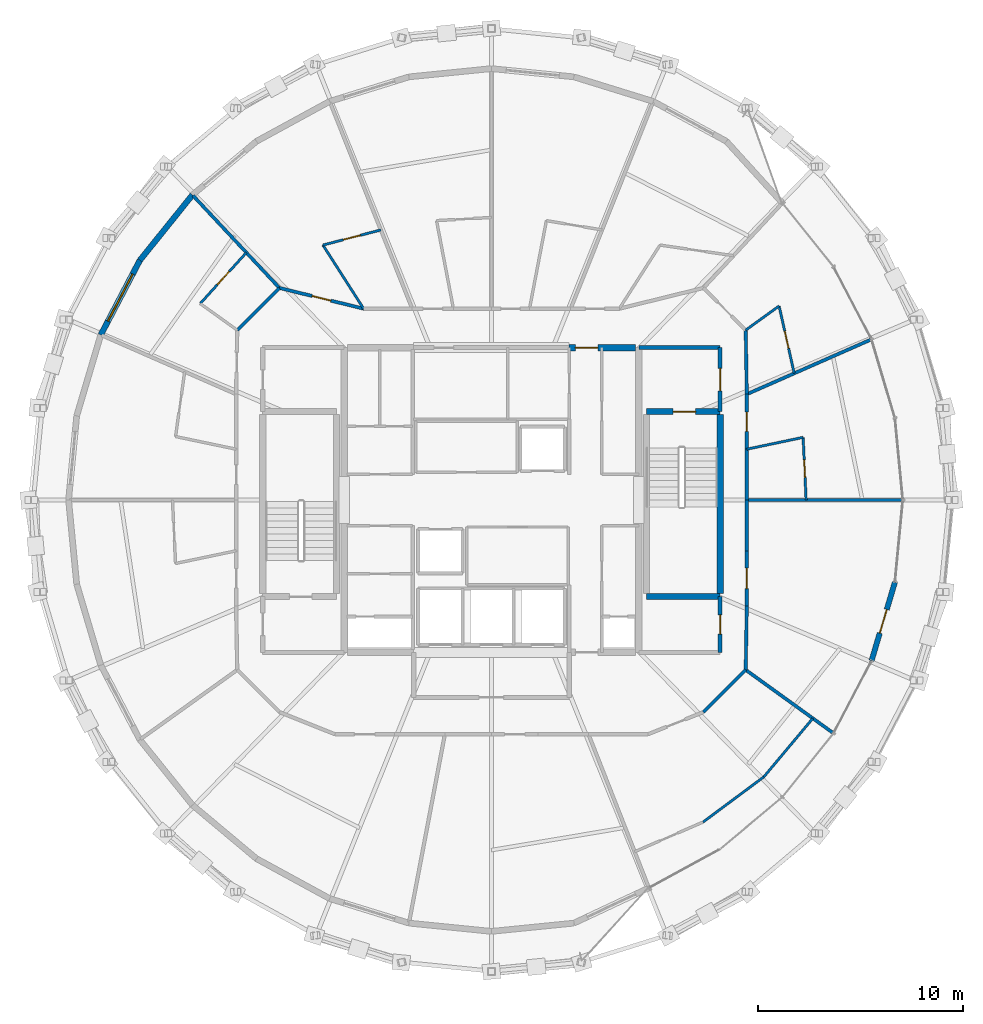
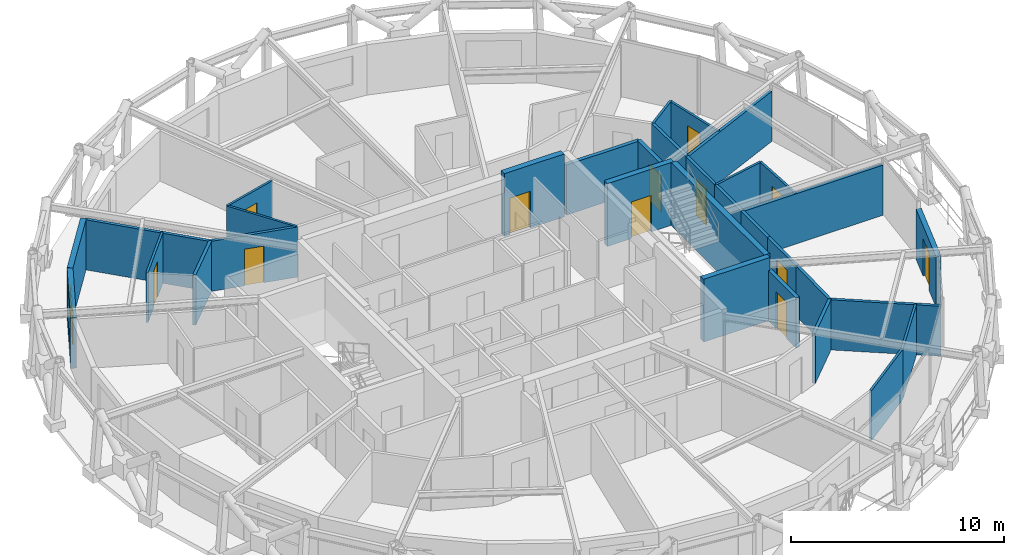
# One storey, part 13 of 15: 32 walls, 12 doors, 1 window, 13 openings.
"""IFC4 building model written with IfcOpenShell, lengths in metres."""

from ifc_helpers import new_model, si_unit, direction, frame, frame_2d, origin, place, context, subcontext, project, spatial, rectangle, extrude, material, layer, layer_set, type_object, element, fill, save


model = new_model("IFC4")

# Units and contexts
model_context = context("Model", 3, precision=1e-05, world=origin(), true_north=direction((0.0, 1.0)))
body_context = subcontext(model_context, "Body", "Model", "MODEL_VIEW")
ifc_project = project(units=[si_unit("LENGTHUNIT", "METRE"), si_unit("AREAUNIT", "SQUARE_METRE"), si_unit("VOLUMEUNIT", "CUBIC_METRE"), si_unit("PLANEANGLEUNIT", "RADIAN"), si_unit("MASSUNIT", "GRAM", prefix="KILO")], contexts=[model_context])

# Site, building, storey
site_placement = place(None, origin())
site = spatial("IfcSite", under=ifc_project, at=site_placement, CompositionType="ELEMENT")
building_placement = place(site_placement, origin())
building = spatial("IfcBuilding", under=site, at=building_placement, Name="Veldorina Hangang Commons", CompositionType="ELEMENT")
storey_placement = place(building_placement, frame((0.0, 0.0, 254.39990234375)))
storey = spatial("IfcBuildingStorey", under=building, at=storey_placement, Name="L66", CompositionType="ELEMENT", Elevation=254.39990234375)

# Wall, opening, door
ifc_material_1 = material(Name="Concrete C50/60", Category="concrete")
ifc_layer_1 = layer(ifc_material_1, 0.320068359375)
ifc_layer_set_1 = layer_set([ifc_layer_1], Name="Concrete C50/60")
wall_type_1 = type_object("IfcWallType", Name="CW-RC320-C50", PredefinedType="SHEAR", material=ifc_layer_set_1)
wall_1_placement = place(storey_placement, frame((35.800048828125, 31.449951171875, 0.0), z_axis=(0.0, 0.0, 1.0), x_axis=(1.0, 0.0, 0.0)))
wall_1 = element("IfcWall", 1, at=wall_1_placement, inside=storey, type_object=wall_type_1, Name="L66 north-east core shear wall", PredefinedType="SHEAR", context=body_context, shape_type="SweptSolid", body=[
    extrude(rectangle(XDim=3.239990234375, YDim=0.320068359375, at=frame_2d((1.6201171875, 0.0))), origin(), (0.0, 0.0, 1.0), 3.60009765625),
])
opening_1_placement = place(wall_1_placement, frame((0.300048828125, 0.0, 0.0)))
opening_1 = element("IfcOpeningElement", 2, at=opening_1_placement, cuts=wall_1, Name="Opening D-08", PredefinedType="OPENING", context=body_context, shape_type="SweptSolid", body=[
    extrude(rectangle(XDim=1.10009765625, YDim=2.10009765625, at=frame_2d((0.550048828125, 1.050048828125))), frame((0.0, 0.169921875, 0.0), z_axis=(0.0, -1.0, 0.0), x_axis=(1.0, 0.0, 0.0)), (0.0, 0.0, 1.0), 0.340087890625),
])
ifc_material_2 = material(Name="Steel Fire-Rated Smoke Seal", Category="steel")
door_type_1 = type_object("IfcDoorType", Name="DR-FIRE-1100", OperationType="SINGLE_SWING_RIGHT", PredefinedType="DOOR", material=ifc_material_2)
door_1_placement = place(opening_1_placement, origin())
door_1 = element("IfcDoor", 3, at=door_1_placement, inside=storey, type_object=door_type_1, Name="L66 central lift lobby north corridor door", OperationType="SINGLE_SWING_LEFT", OverallHeight=2.10009765625, OverallWidth=1.10009765625, PredefinedType="DOOR", context=body_context, shape_type="SweptSolid", body=[
    extrude(rectangle(XDim=1.10009765625, YDim=2.10009765625, at=frame_2d((0.550048828125, 1.050048828125))), frame((0.0, 0.02490234375, 0.0), z_axis=(0.0, -1.0, 0.0), x_axis=(1.0, 0.0, 0.0)), (0.0, 0.0, 1.0), 0.050048828125),
])
fill(opening_1, door_1)

ifc_material_3 = material(Name="Stone Roman Travertine", Category="masonry")
ifc_layer_2 = layer(ifc_material_3, 0.260009765625)
ifc_layer_set_2 = layer_set([ifc_layer_2], Name="Stone Roman Travertine")
wall_type_2 = type_object("IfcWallType", Name="EW-LOGGIA-260", PredefinedType="STANDARD", material=ifc_layer_set_2)
wall_2_placement = place(storey_placement, frame((50.578857421875, 16.145263671875, 0.0), z_axis=(0.0, 0.0, 1.0), x_axis=(0.284876689728, 0.9585641719, 0.0)))
wall_2 = element("IfcWall", 4, at=wall_2_placement, inside=storey, type_object=wall_type_2, Name="L66 sky-garden loggia portal wall 30", PredefinedType="STANDARD", context=body_context, shape_type="SweptSolid", body=[
    extrude(rectangle(XDim=4.016845703125, YDim=0.260009765625, at=frame_2d((2.00830078125, 0.0))), origin(), (0.0, 0.0, 1.0), 2.880126953125),
])
opening_2_placement = place(wall_2_placement, frame((1.408447265625, 0.0, 0.0)))
opening_2 = element("IfcOpeningElement", 5, at=opening_2_placement, cuts=wall_2, Name="Opening BD-1200", PredefinedType="OPENING", context=body_context, shape_type="SweptSolid", body=[
    extrude(rectangle(XDim=1.199951171875, YDim=2.14990234375, at=frame_2d((0.60009765625, 1.074951171875))), frame((0.0, 0.14013671875, 0.0), z_axis=(0.0, -1.0, 0.0), x_axis=(1.0, 0.0, 0.0)), (0.0, 0.0, 1.0), 0.280029296875),
])
ifc_material_4 = material(Name="Glass Thermal Aluminium Frame", Category="aluminium")
door_type_2 = type_object("IfcDoorType", Name="DR-EXT-LOG1200", OperationType="SINGLE_SWING_LEFT", PredefinedType="DOOR", material=ifc_material_4)
door_2_placement = place(opening_2_placement, origin())
door_2 = element("IfcDoor", 6, at=door_2_placement, inside=storey, type_object=door_type_2, Name="L66 loggia glazed exterior door 30", OperationType="SINGLE_SWING_LEFT", OverallHeight=2.14990234375, OverallWidth=1.199951171875, PredefinedType="DOOR", context=body_context, shape_type="SweptSolid", body=[
    extrude(rectangle(XDim=1.199951171875, YDim=2.14990234375, at=frame_2d((0.60009765625, 1.074951171875))), frame((0.0, 0.02490234375, 0.0), z_axis=(0.0, -1.0, 0.0), x_axis=(1.0, 0.0, 0.0)), (0.0, 0.0, 1.0), 0.050048828125),
])
fill(opening_2, door_2)

# Wall
ifc_layer_3 = layer(ifc_material_3, 0.280029296875)
ifc_layer_set_3 = layer_set([ifc_layer_3], Name="Stone Roman Travertine")
wall_type_3 = type_object("IfcWallType", Name="EW-TRAV-280", PredefinedType="STANDARD", material=ifc_layer_set_3)
wall_3_placement = place(storey_placement, frame((17.384521484375, 38.90966796875, 0.0), z_axis=(0.0, 0.0, 1.0), x_axis=(-0.626849011523, -0.779140755418, 0.0)))
element("IfcWall", 7, at=wall_3_placement, inside=storey, type_object=wall_type_3, Name="L66 travertine facade wall 12", PredefinedType="STANDARD", context=body_context, shape_type="SweptSolid", body=[
    extrude(rectangle(XDim=4.100830078125, YDim=0.280029296875, at=frame_2d((2.05029296875, 0.0))), origin(), (0.0, 0.0, 1.0), 2.880126953125),
])

# Wall, opening, window
wall_4_placement = place(storey_placement, frame((14.81396484375, 35.714599609375, 0.0), z_axis=(0.0, 0.0, 1.0), x_axis=(-0.46412225373, -0.88577115193, 0.0)))
wall_4 = element("IfcWall", 8, at=wall_4_placement, inside=storey, type_object=wall_type_3, Name="L66 travertine facade wall 13", PredefinedType="STANDARD", context=body_context, shape_type="SweptSolid", body=[
    extrude(rectangle(XDim=4.11572265625, YDim=0.280029296875, at=frame_2d((2.057861328125, 0.0))), origin(), (0.0, 0.0, 1.0), 2.880126953125),
])
opening_3_placement = place(wall_4_placement, frame((0.7578125, 0.0, 0.800048828125)))
opening_3 = element("IfcOpeningElement", 9, at=opening_3_placement, cuts=wall_4, Name="Opening W-02", PredefinedType="OPENING", context=body_context, shape_type="SweptSolid", body=[
    extrude(rectangle(XDim=2.60009765625, YDim=1.64990234375, at=frame_2d((1.300048828125, 0.824951171875))), frame((0.0, 0.14990234375, 0.0), z_axis=(0.0, -1.0, 0.0), x_axis=(1.0, 0.0, 0.0)), (0.0, 0.0, 1.0), 0.300048828125),
])
ifc_material_5 = material(Name="Glass Low-E Triple IGU", Category="glass")
window_type = type_object("IfcWindowType", Name="WIN-TWR-2600", PartitioningType="SINGLE_PANEL", PredefinedType="WINDOW", material=ifc_material_5)
window_placement = place(opening_3_placement, origin())
window = element("IfcWindow", 10, at=window_placement, inside=storey, type_object=window_type, Name="L66 facade window 13", OverallHeight=1.64990234375, OverallWidth=2.60009765625, PartitioningType="SINGLE_PANEL", PredefinedType="WINDOW", context=body_context, shape_type="SweptSolid", body=[
    extrude(rectangle(XDim=2.60009765625, YDim=1.64990234375, at=frame_2d((1.300048828125, 0.824951171875))), frame((0.0, 0.030029296875, 0.0), z_axis=(0.0, -1.0, 0.0), x_axis=(1.0, 0.0, 0.0)), (0.0, 0.0, 1.0), 0.06005859375),
])
fill(opening_3, window)

# Walls
ifc_layer_4 = layer(ifc_material_1, 0.300048828125)
ifc_layer_set_4 = layer_set([ifc_layer_4], Name="Concrete C50/60")
wall_type_4 = type_object("IfcWallType", Name="SW-STAIR-300", PredefinedType="SHEAR", material=ifc_layer_set_4)
wall_5_placement = place(storey_placement, frame((43.179931640625, 19.429931640625, 0.0), z_axis=(0.0, 0.0, 1.0), x_axis=(0.0, 1.0, 0.0)))
element("IfcWall", 11, at=wall_5_placement, inside=storey, type_object=wall_type_4, Name="L66 ST2 outer stair shear wall", PredefinedType="SHEAR", context=body_context, shape_type="SweptSolid", body=[
    extrude(rectangle(XDim=8.739990234375, YDim=0.300048828125, at=frame_2d((4.3701171875, 0.0))), origin(), (0.0, 0.0, 1.0), 3.60009765625),
])
wall_6_placement = place(storey_placement, frame((39.580078125, 19.280029296875, 0.0), z_axis=(0.0, 0.0, 1.0), x_axis=(1.0, 0.0, 0.0)))
element("IfcWall", 12, at=wall_6_placement, inside=storey, type_object=wall_type_4, Name="L66 ST2 south stair shear wall", PredefinedType="SHEAR", context=body_context, shape_type="SweptSolid", body=[
    extrude(rectangle(XDim=3.599853515625, YDim=0.300048828125, at=frame_2d((1.7998046875, 0.0))), origin(), (0.0, 0.0, 1.0), 3.60009765625),
])

# Wall, opening, door
wall_7_placement = place(storey_placement, frame((39.580078125, 28.320068359375, 0.0), z_axis=(0.0, 0.0, 1.0), x_axis=(1.0, 0.0, 0.0)))
wall_7 = element("IfcWall", 13, at=wall_7_placement, inside=storey, type_object=wall_type_4, Name="L66 ST2 north stair shear wall", PredefinedType="SHEAR", context=body_context, shape_type="SweptSolid", body=[
    extrude(rectangle(XDim=3.599853515625, YDim=0.300048828125, at=frame_2d((1.7998046875, 0.0))), origin(), (0.0, 0.0, 1.0), 3.60009765625),
])
opening_4_placement = place(wall_7_placement, frame((1.300048828125, 0.0, 0.0)))
opening_4 = element("IfcOpeningElement", 14, at=opening_4_placement, cuts=wall_7, Name="Opening D-08", PredefinedType="OPENING", context=body_context, shape_type="SweptSolid", body=[
    extrude(rectangle(XDim=1.10009765625, YDim=2.10009765625, at=frame_2d((0.550048828125, 1.050048828125))), frame((0.0, 0.16015625, 0.0), z_axis=(0.0, -1.0, 0.0), x_axis=(1.0, 0.0, 0.0)), (0.0, 0.0, 1.0), 0.320068359375),
])
door_3_placement = place(opening_4_placement, origin())
door_3 = element("IfcDoor", 15, at=door_3_placement, inside=storey, type_object=door_type_1, Name="L66 Special Escape Stair ST-2 door", OperationType="SINGLE_SWING_RIGHT", OverallHeight=2.10009765625, OverallWidth=1.10009765625, PredefinedType="DOOR", context=body_context, shape_type="SweptSolid", body=[
    extrude(rectangle(XDim=1.10009765625, YDim=2.10009765625, at=frame_2d((0.550048828125, 1.050048828125))), frame((0.0, 0.02490234375, 0.0), z_axis=(0.0, -1.0, 0.0), x_axis=(1.0, 0.0, 0.0)), (0.0, 0.0, 1.0), 0.050048828125),
])
fill(opening_4, door_3)

# Wall
ifc_material_6 = material(Name="Gypsum Fire-Rated Twin Stud Wall", Category="gypsum")
ifc_layer_5 = layer(ifc_material_6, 0.159912109375)
ifc_layer_set_5 = layer_set([ifc_layer_5], Name="Gypsum Fire-Rated Twin Stud Wall")
wall_type_5 = type_object("IfcWallType", Name="WL-FIRE-160", PredefinedType="SOLIDWALL", material=ifc_layer_set_5)
wall_8_placement = place(storey_placement, frame((44.47998046875, 24.0, 0.0), z_axis=(0.0, 0.0, 1.0), x_axis=(0.0, 1.0, 0.0)))
element("IfcWall", 16, at=wall_8_placement, inside=storey, type_object=wall_type_5, Name="L66 Compact collar outer wall 00 054", PredefinedType="SOLIDWALL", context=body_context, shape_type="SweptSolid", body=[
    extrude(rectangle(XDim=2.482421875, YDim=0.159912109375, at=frame_2d((1.2412109375, 0.0))), origin(), (0.0, 0.0, 1.0), 2.8701171875),
])

# Wall, opening, door
wall_9_placement = place(storey_placement, frame((44.47998046875, 26.482421875, 0.0), z_axis=(0.0, 0.0, 1.0), x_axis=(0.0, 1.0, 0.0)))
wall_9 = element("IfcWall", 17, at=wall_9_placement, inside=storey, type_object=wall_type_5, Name="L66 Compact collar outer wall 01 055", PredefinedType="SOLIDWALL", context=body_context, shape_type="SweptSolid", body=[
    extrude(rectangle(XDim=2.68701171875, YDim=0.159912109375, at=frame_2d((1.343505859375, 0.0))), origin(), (0.0, 0.0, 1.0), 2.8701171875),
])
opening_5_placement = place(wall_9_placement, frame((0.868408203125, 0.0, 0.0)))
opening_5 = element("IfcOpeningElement", 18, at=opening_5_placement, cuts=wall_9, Name="Opening D-03", PredefinedType="OPENING", context=body_context, shape_type="SweptSolid", body=[
    extrude(rectangle(XDim=0.949951171875, YDim=2.10009765625, at=frame_2d((0.47509765625, 1.050048828125))), frame((0.0, 0.08984375, 0.0), z_axis=(0.0, -1.0, 0.0), x_axis=(1.0, 0.0, 0.0)), (0.0, 0.0, 1.0), 0.179931640625),
])
ifc_material_7 = material(Name="Timber Fire-Rated Entrance Core", Category="wood")
door_type_3 = type_object("IfcDoorType", Name="DR-UNIT-950", OperationType="SINGLE_SWING_RIGHT", PredefinedType="DOOR", material=ifc_material_7)
door_4_placement = place(opening_5_placement, origin())
door_4 = element("IfcDoor", 19, at=door_4_placement, inside=storey, type_object=door_type_3, Name="L66 Studio 2 entrance door 026", OperationType="SINGLE_SWING_RIGHT", OverallHeight=2.10009765625, OverallWidth=0.949951171875, PredefinedType="DOOR", context=body_context, shape_type="SweptSolid", body=[
    extrude(rectangle(XDim=0.949951171875, YDim=2.10009765625, at=frame_2d((0.47509765625, 1.050048828125))), frame((0.0, 0.02490234375, 0.0), z_axis=(0.0, -1.0, 0.0), x_axis=(1.0, 0.0, 0.0)), (0.0, 0.0, 1.0), 0.050048828125),
])
fill(opening_5, door_4)

# Wall
wall_10_placement = place(storey_placement, frame((44.47998046875, 29.16943359375, 0.0), z_axis=(0.0, 0.0, 1.0), x_axis=(-0.016981035134, 0.999855811828, 0.0)))
element("IfcWall", 20, at=wall_10_placement, inside=storey, type_object=wall_type_5, Name="L66 Compact collar outer wall 02 056", PredefinedType="SOLIDWALL", context=body_context, shape_type="SweptSolid", body=[
    extrude(rectangle(XDim=3.13427734375, YDim=0.159912109375, at=frame_2d((1.567138671875, 0.0))), origin(), (0.0, 0.0, 1.0), 2.8701171875),
])

# Wall, opening, door
wall_11_placement = place(storey_placement, frame((25.75244140625, 33.35009765625, 0.0), z_axis=(0.0, 0.0, 1.0), x_axis=(-0.970939799552, 0.239323850978, 0.0)))
wall_11 = element("IfcWall", 21, at=wall_11_placement, inside=storey, type_object=wall_type_5, Name="L66 Compact collar outer wall 11 065", PredefinedType="SOLIDWALL", context=body_context, shape_type="SweptSolid", body=[
    extrude(rectangle(XDim=4.24072265625, YDim=0.159912109375, at=frame_2d((2.120361328125, 0.0))), origin(), (0.0, 0.0, 1.0), 2.8701171875),
])
opening_6_placement = place(wall_11_placement, frame((1.6455078125, 0.0, 0.0)))
opening_6 = element("IfcOpeningElement", 22, at=opening_6_placement, cuts=wall_11, Name="Opening D-03", PredefinedType="OPENING", context=body_context, shape_type="SweptSolid", body=[
    extrude(rectangle(XDim=0.949951171875, YDim=2.10009765625, at=frame_2d((0.47509765625, 1.050048828125))), frame((0.0, 0.08984375, 0.0), z_axis=(0.0, -1.0, 0.0), x_axis=(1.0, 0.0, 0.0)), (0.0, 0.0, 1.0), 0.179931640625),
])
door_5_placement = place(opening_6_placement, origin())
door_5 = element("IfcDoor", 23, at=door_5_placement, inside=storey, type_object=door_type_3, Name="L66 Studio 7 entrance door 036", OperationType="SINGLE_SWING_RIGHT", OverallHeight=2.10009765625, OverallWidth=0.949951171875, PredefinedType="DOOR", context=body_context, shape_type="SweptSolid", body=[
    extrude(rectangle(XDim=0.949951171875, YDim=2.10009765625, at=frame_2d((0.47509765625, 1.050048828125))), frame((0.0, 0.02490234375, 0.0), z_axis=(0.0, -1.0, 0.0), x_axis=(1.0, 0.0, 0.0)), (0.0, 0.0, 1.0), 0.050048828125),
])
fill(opening_6, door_5)

# Walls
for number, where, z_axis, x_axis, name in (
    (24, (21.635009765625, 34.364990234375, 0.0), (0.0, 0.0, 1.0), (-0.707106781187, -0.707106781187, 0.0), "L66 Compact collar outer wall 12 066"),
    (25, (42.364990234375, 13.635009765625, 0.0), (0.0, 0.0, 1.0), (0.707106781187, 0.707106781187, 0.0), "L66 Compact collar outer wall 28 082"),
):
    element("IfcWall", number, at=place(storey_placement, frame(where, z_axis=z_axis, x_axis=x_axis)), inside=storey, type_object=wall_type_5, Name=name, PredefinedType="SOLIDWALL", context=body_context, shape_type="SweptSolid", body=[
        extrude(rectangle(XDim=2.915771484375, YDim=0.159912109375, at=frame_2d((1.4580078125, 0.0))), origin(), (0.0, 0.0, 1.0), 2.8701171875),
    ])
wall_12_placement = place(storey_placement, frame((44.4267578125, 15.69677734375, 0.0), z_axis=(0.0, 0.0, 1.0), x_axis=(0.016981035134, 0.999855811828, 0.0)))
element("IfcWall", 26, at=wall_12_placement, inside=storey, type_object=wall_type_5, Name="L66 Compact collar outer wall 29 083", PredefinedType="SOLIDWALL", context=body_context, shape_type="SweptSolid", body=[
    extrude(rectangle(XDim=3.13427734375, YDim=0.159912109375, at=frame_2d((1.567138671875, 0.0))), origin(), (0.0, 0.0, 1.0), 2.8701171875),
])

# Wall, opening, door
wall_13_placement = place(storey_placement, frame((44.47998046875, 18.83056640625, 0.0), z_axis=(0.0, 0.0, 1.0), x_axis=(0.0, 1.0, 0.0)))
wall_13 = element("IfcWall", 27, at=wall_13_placement, inside=storey, type_object=wall_type_5, Name="L66 Compact collar outer wall 30 084", PredefinedType="SOLIDWALL", context=body_context, shape_type="SweptSolid", body=[
    extrude(rectangle(XDim=2.68701171875, YDim=0.159912109375, at=frame_2d((1.343505859375, 0.0))), origin(), (0.0, 0.0, 1.0), 2.8701171875),
])
opening_7_placement = place(wall_13_placement, frame((0.843505859375, 0.0, 0.0)))
opening_7 = element("IfcOpeningElement", 28, at=opening_7_placement, cuts=wall_13, Name="Opening D-05", PredefinedType="OPENING", context=body_context, shape_type="SweptSolid", body=[
    extrude(rectangle(XDim=1.0, YDim=2.10009765625, at=frame_2d((0.5, 1.050048828125))), frame((0.0, 0.08984375, 0.0), z_axis=(0.0, -1.0, 0.0), x_axis=(1.0, 0.0, 0.0)), (0.0, 0.0, 1.0), 0.179931640625),
])
ifc_material_8 = material(Name="Timber Solid Core Acoustic", Category="wood")
door_type_4 = type_object("IfcDoorType", Name="DR-INT-1000", OperationType="SINGLE_SWING_RIGHT", PredefinedType="DOOR", material=ifc_material_8)
door_6_placement = place(opening_7_placement, origin())
door_6 = element("IfcDoor", 29, at=door_6_placement, inside=storey, type_object=door_type_4, Name="L66 Sky-Garden Commons Lounge door 024", OperationType="SINGLE_SWING_RIGHT", OverallHeight=2.10009765625, OverallWidth=1.0, PredefinedType="DOOR", context=body_context, shape_type="SweptSolid", body=[
    extrude(rectangle(XDim=1.0, YDim=2.10009765625, at=frame_2d((0.5, 1.050048828125))), frame((0.0, 0.02490234375, 0.0), z_axis=(0.0, -1.0, 0.0), x_axis=(1.0, 0.0, 0.0)), (0.0, 0.0, 1.0), 0.050048828125),
])
fill(opening_7, door_6)

# Walls
wall_14_placement = place(storey_placement, frame((44.47998046875, 21.517578125, 0.0), z_axis=(0.0, 0.0, 1.0), x_axis=(0.0, 1.0, 0.0)))
element("IfcWall", 30, at=wall_14_placement, inside=storey, type_object=wall_type_5, Name="L66 Compact collar outer wall 31 085", PredefinedType="SOLIDWALL", context=body_context, shape_type="SweptSolid", body=[
    extrude(rectangle(XDim=2.482421875, YDim=0.159912109375, at=frame_2d((1.2412109375, 0.0))), origin(), (0.0, 0.0, 1.0), 2.8701171875),
])
wall_15_placement = place(storey_placement, frame((44.4267578125, 15.69677734375, 0.0), z_axis=(0.0, 0.0, 1.0), x_axis=(0.810763897191, -0.585373302271, 0.0)))
element("IfcWall", 31, at=wall_15_placement, inside=storey, type_object=wall_type_5, Name="L66 Unit party wall 29 086", PredefinedType="SOLIDWALL", context=body_context, shape_type="SweptSolid", body=[
    extrude(rectangle(XDim=5.245849609375, YDim=0.159912109375, at=frame_2d((2.623046875, 0.0))), origin(), (0.0, 0.0, 1.0), 2.8701171875),
])
wall_16_placement = place(storey_placement, frame((44.47998046875, 24.0, 0.0), z_axis=(0.0, 0.0, 1.0), x_axis=(1.0, 0.0, 0.0)))
element("IfcWall", 32, at=wall_16_placement, inside=storey, type_object=wall_type_5, Name="L66 Unit party wall 00 087", PredefinedType="SOLIDWALL", context=body_context, shape_type="SweptSolid", body=[
    extrude(rectangle(XDim=7.57958984375, YDim=0.159912109375, at=frame_2d((3.789794921875, 0.0))), origin(), (0.0, 0.0, 1.0), 2.8701171875),
])
wall_17_placement = place(storey_placement, frame((44.47998046875, 29.16943359375, 0.0), z_axis=(0.0, 0.0, 1.0), x_axis=(0.915205048485, 0.40298848523, 0.0)))
element("IfcWall", 33, at=wall_17_placement, inside=storey, type_object=wall_type_5, Name="L66 Unit party wall 02 090", PredefinedType="SOLIDWALL", context=body_context, shape_type="SweptSolid", body=[
    extrude(rectangle(XDim=6.61376953125, YDim=0.159912109375, at=frame_2d((3.306884765625, 0.0))), origin(), (0.0, 0.0, 1.0), 2.8701171875),
])
wall_18_placement = place(storey_placement, frame((21.635009765625, 34.364990234375, 0.0), z_axis=(0.0, 0.0, 1.0), x_axis=(-0.683059143093, 0.73036306522, 0.0)))
element("IfcWall", 34, at=wall_18_placement, inside=storey, type_object=wall_type_5, Name="L66 Unit party wall 12 105", PredefinedType="SOLIDWALL", context=body_context, shape_type="SweptSolid", body=[
    extrude(rectangle(XDim=6.172607421875, YDim=0.159912109375, at=frame_2d((3.08642578125, 0.0))), origin(), (0.0, 0.0, 1.0), 2.8701171875),
])

# Wall, opening, door
ifc_material_9 = material(Name="Concrete Blockwork Fire Wall C30/37", Category="masonry")
ifc_layer_6 = layer(ifc_material_9, 0.199951171875)
ifc_layer_set_6 = layer_set([ifc_layer_6], Name="Concrete Blockwork Fire Wall C30/37")
wall_type_6 = type_object("IfcWallType", Name="WL-FIRE-200", PredefinedType="SOLIDWALL", material=ifc_layer_set_6)
wall_19_placement = place(storey_placement, frame((43.179931640625, 28.320068359375, 0.0), z_axis=(0.0, 0.0, 1.0), x_axis=(0.0, 1.0, 0.0)))
wall_19 = element("IfcWall", 35, at=wall_19_placement, inside=storey, type_object=wall_type_6, Name="L66 East vestibule outer wall 003", PredefinedType="SOLIDWALL", context=body_context, shape_type="SweptSolid", body=[
    extrude(rectangle(XDim=3.1298828125, YDim=0.199951171875, at=frame_2d((1.56494140625, 0.0))), origin(), (0.0, 0.0, 1.0), 2.8701171875),
])
opening_8_placement = place(wall_19_placement, frame((1.014892578125, 0.0, 0.0)))
opening_8 = element("IfcOpeningElement", 36, at=opening_8_placement, cuts=wall_19, Name="Opening D-08", PredefinedType="OPENING", context=body_context, shape_type="SweptSolid", body=[
    extrude(rectangle(XDim=1.10009765625, YDim=2.10009765625, at=frame_2d((0.550048828125, 1.050048828125))), frame((0.0, 0.10986328125, 0.0), z_axis=(0.0, -1.0, 0.0), x_axis=(1.0, 0.0, 0.0)), (0.0, 0.0, 1.0), 0.219970703125),
])
door_7_placement = place(opening_8_placement, origin())
door_7 = element("IfcDoor", 37, at=door_7_placement, inside=storey, type_object=door_type_1, Name="L66 East vestibule east door 002", OperationType="SINGLE_SWING_RIGHT", OverallHeight=2.10009765625, OverallWidth=1.10009765625, PredefinedType="DOOR", context=body_context, shape_type="SweptSolid", body=[
    extrude(rectangle(XDim=1.10009765625, YDim=2.10009765625, at=frame_2d((0.550048828125, 1.050048828125))), frame((0.0, 0.02490234375, 0.0), z_axis=(0.0, -1.0, 0.0), x_axis=(1.0, 0.0, 0.0)), (0.0, 0.0, 1.0), 0.050048828125),
])
fill(opening_8, door_7)

# Wall
wall_20_placement = place(storey_placement, frame((39.199951171875, 31.449951171875, 0.0), z_axis=(0.0, 0.0, 1.0), x_axis=(1.0, 0.0, 0.0)))
element("IfcWall", 38, at=wall_20_placement, inside=storey, type_object=wall_type_6, Name="L66 East vestibule north wall 004", PredefinedType="SOLIDWALL", context=body_context, shape_type="SweptSolid", body=[
    extrude(rectangle(XDim=3.97998046875, YDim=0.199951171875, at=frame_2d((1.989990234375, 0.0))), origin(), (0.0, 0.0, 1.0), 2.8701171875),
])

# Wall, opening, door
wall_21_placement = place(storey_placement, frame((43.179931640625, 16.550048828125, 0.0), z_axis=(0.0, 0.0, 1.0), x_axis=(0.0, 1.0, 0.0)))
wall_21 = element("IfcWall", 39, at=wall_21_placement, inside=storey, type_object=wall_type_6, Name="L66 SE core room outer wall 007", PredefinedType="SOLIDWALL", context=body_context, shape_type="SweptSolid", body=[
    extrude(rectangle(XDim=2.72998046875, YDim=0.199951171875, at=frame_2d((1.364990234375, 0.0))), origin(), (0.0, 0.0, 1.0), 2.8701171875),
])
opening_9_placement = place(wall_21_placement, frame((0.889892578125, 0.0, 0.0)))
opening_9 = element("IfcOpeningElement", 40, at=opening_9_placement, cuts=wall_21, Name="Opening D-02", PredefinedType="OPENING", context=body_context, shape_type="SweptSolid", body=[
    extrude(rectangle(XDim=0.949951171875, YDim=2.10009765625, at=frame_2d((0.47509765625, 1.050048828125))), frame((0.0, 0.10986328125, 0.0), z_axis=(0.0, -1.0, 0.0), x_axis=(1.0, 0.0, 0.0)), (0.0, 0.0, 1.0), 0.219970703125),
])
door_type_5 = type_object("IfcDoorType", Name="DR-INT-950", OperationType="SINGLE_SWING_LEFT", PredefinedType="DOOR", material=ifc_material_8)
door_8_placement = place(opening_9_placement, origin())
door_8 = element("IfcDoor", 41, at=door_8_placement, inside=storey, type_object=door_type_5, Name="L66 SE core WC door 004", OperationType="SINGLE_SWING_RIGHT", OverallHeight=2.10009765625, OverallWidth=0.949951171875, PredefinedType="DOOR", context=body_context, shape_type="SweptSolid", body=[
    extrude(rectangle(XDim=0.949951171875, YDim=2.10009765625, at=frame_2d((0.47509765625, 1.050048828125))), frame((0.0, 0.02490234375, 0.0), z_axis=(0.0, -1.0, 0.0), x_axis=(1.0, 0.0, 0.0)), (0.0, 0.0, 1.0), 0.050048828125),
])
fill(opening_9, door_8)

ifc_material_10 = material(Name="Gypsum Acoustic Stud Partition", Category="gypsum")
ifc_layer_7 = layer(ifc_material_10, 0.1201171875)
ifc_layer_set_7 = layer_set([ifc_layer_7], Name="Gypsum Acoustic Stud Partition")
wall_type_7 = type_object("IfcWallType", Name="WL-PART-120", PredefinedType="PARTITIONING", material=ifc_layer_set_7)
wall_22_placement = place(storey_placement, frame((47.379150390625, 24.0, 0.0), z_axis=(0.0, 0.0, 1.0), x_axis=(-0.04788311561, 0.998852945753, 0.0)))
wall_22 = element("IfcWall", 42, at=wall_22_placement, inside=storey, type_object=wall_type_7, Name="L66 Studio 2 bath front wall 088", PredefinedType="PARTITIONING", context=body_context, shape_type="SweptSolid", body=[
    extrude(rectangle(XDim=3.064208984375, YDim=0.1201171875, at=frame_2d((1.5322265625, 0.0))), origin(), (0.0, 0.0, 1.0), 2.8701171875),
])
opening_10_placement = place(wall_22_placement, frame((1.10205078125, 0.0, 0.0)))
opening_10 = element("IfcOpeningElement", 43, at=opening_10_placement, cuts=wall_22, Name="Opening D-01", PredefinedType="OPENING", context=body_context, shape_type="SweptSolid", body=[
    extrude(rectangle(XDim=0.860107421875, YDim=2.10009765625, at=frame_2d((0.43017578125, 1.050048828125))), frame((0.0, 0.070068359375, 0.0), z_axis=(0.0, -1.0, 0.0), x_axis=(1.0, 0.0, 0.0)), (0.0, 0.0, 1.0), 0.14013671875),
])
ifc_material_11 = material(Name="Timber Moisture-Resistant Core", Category="wood")
door_type_6 = type_object("IfcDoorType", Name="DR-WET-860", OperationType="SINGLE_SWING_LEFT", PredefinedType="DOOR", material=ifc_material_11)
door_9_placement = place(opening_10_placement, origin())
door_9 = element("IfcDoor", 44, at=door_9_placement, inside=storey, type_object=door_type_6, Name="L66 Studio 2 bathroom door 025", OperationType="SINGLE_SWING_LEFT", OverallHeight=2.10009765625, OverallWidth=0.860107421875, PredefinedType="DOOR", context=body_context, shape_type="SweptSolid", body=[
    extrude(rectangle(XDim=0.860107421875, YDim=2.10009765625, at=frame_2d((0.43017578125, 1.050048828125))), frame((0.0, 0.02490234375, 0.0), z_axis=(0.0, -1.0, 0.0), x_axis=(1.0, 0.0, 0.0)), (0.0, 0.0, 1.0), 0.050048828125),
])
fill(opening_10, door_9)

# Wall
wall_23_placement = place(storey_placement, frame((44.47998046875, 26.482421875, 0.0), z_axis=(0.0, 0.0, 1.0), x_axis=(0.978627999085, 0.205638613609, 0.0)))
element("IfcWall", 45, at=wall_23_placement, inside=storey, type_object=wall_type_7, Name="L66 Studio 2 bath side wall 089", PredefinedType="PARTITIONING", context=body_context, shape_type="SweptSolid", body=[
    extrude(rectangle(XDim=2.8125, YDim=0.1201171875, at=frame_2d((1.40625, 0.0))), origin(), (0.0, 0.0, 1.0), 2.8701171875),
])

# Wall, opening, door
wall_24_placement = place(storey_placement, frame((46.797607421875, 30.18994140625, 0.0), z_axis=(0.0, 0.0, 1.0), x_axis=(-0.219152241428, 0.97569067592, 0.0)))
wall_24 = element("IfcWall", 46, at=wall_24_placement, inside=storey, type_object=wall_type_7, Name="L66 Studio 3 bath front wall 091", PredefinedType="PARTITIONING", context=body_context, shape_type="SweptSolid", body=[
    extrude(rectangle(XDim=3.373291015625, YDim=0.1201171875, at=frame_2d((1.6865234375, 0.0))), origin(), (0.0, 0.0, 1.0), 2.8701171875),
])
opening_11_placement = place(wall_24_placement, frame((1.256591796875, 0.0, 0.0)))
opening_11 = element("IfcOpeningElement", 47, at=opening_11_placement, cuts=wall_24, Name="Opening D-01", PredefinedType="OPENING", context=body_context, shape_type="SweptSolid", body=[
    extrude(rectangle(XDim=0.860107421875, YDim=2.10009765625, at=frame_2d((0.43017578125, 1.050048828125))), frame((0.0, 0.070068359375, 0.0), z_axis=(0.0, -1.0, 0.0), x_axis=(1.0, 0.0, 0.0)), (0.0, 0.0, 1.0), 0.14013671875),
])
door_10_placement = place(opening_11_placement, origin())
door_10 = element("IfcDoor", 48, at=door_10_placement, inside=storey, type_object=door_type_6, Name="L66 Studio 3 bathroom door 027", OperationType="SINGLE_SWING_LEFT", OverallHeight=2.10009765625, OverallWidth=0.860107421875, PredefinedType="DOOR", context=body_context, shape_type="SweptSolid", body=[
    extrude(rectangle(XDim=0.860107421875, YDim=2.10009765625, at=frame_2d((0.43017578125, 1.050048828125))), frame((0.0, 0.02490234375, 0.0), z_axis=(0.0, -1.0, 0.0), x_axis=(1.0, 0.0, 0.0)), (0.0, 0.0, 1.0), 0.050048828125),
])
fill(opening_11, door_10)

# Wall
wall_25_placement = place(storey_placement, frame((44.4267578125, 32.30322265625, 0.0), z_axis=(0.0, 0.0, 1.0), x_axis=(0.810771991246, 0.58536209154, 0.0)))
element("IfcWall", 49, at=wall_25_placement, inside=storey, type_object=wall_type_7, Name="L66 Studio 3 bath side wall 092", PredefinedType="PARTITIONING", context=body_context, shape_type="SweptSolid", body=[
    extrude(rectangle(XDim=2.012451171875, YDim=0.1201171875, at=frame_2d((1.00634765625, 0.0))), origin(), (0.0, 0.0, 1.0), 2.8701171875),
])

# Wall, opening, door
wall_26_placement = place(storey_placement, frame((26.593017578125, 37.19970703125, 0.0), z_axis=(0.0, 0.0, 1.0), x_axis=(-0.967433559146, -0.253125084963, 0.0)))
wall_26 = element("IfcWall", 50, at=wall_26_placement, inside=storey, type_object=wall_type_7, Name="L66 Studio 7 bath front wall 103", PredefinedType="PARTITIONING", context=body_context, shape_type="SweptSolid", body=[
    extrude(rectangle(XDim=2.92529296875, YDim=0.1201171875, at=frame_2d((1.462646484375, 0.0))), origin(), (0.0, 0.0, 1.0), 2.8701171875),
])
opening_12_placement = place(wall_26_placement, frame((1.03271484375, 0.0, 0.0)))
opening_12 = element("IfcOpeningElement", 51, at=opening_12_placement, cuts=wall_26, Name="Opening D-01", PredefinedType="OPENING", context=body_context, shape_type="SweptSolid", body=[
    extrude(rectangle(XDim=0.860107421875, YDim=2.10009765625, at=frame_2d((0.43017578125, 1.050048828125))), frame((0.0, 0.070068359375, 0.0), z_axis=(0.0, -1.0, 0.0), x_axis=(1.0, 0.0, 0.0)), (0.0, 0.0, 1.0), 0.14013671875),
])
door_11_placement = place(opening_12_placement, origin())
door_11 = element("IfcDoor", 52, at=door_11_placement, inside=storey, type_object=door_type_6, Name="L66 Studio 7 bathroom door 035", OperationType="SINGLE_SWING_LEFT", OverallHeight=2.10009765625, OverallWidth=0.860107421875, PredefinedType="DOOR", context=body_context, shape_type="SweptSolid", body=[
    extrude(rectangle(XDim=0.860107421875, YDim=2.10009765625, at=frame_2d((0.43017578125, 1.050048828125))), frame((0.0, 0.02490234375, 0.0), z_axis=(0.0, -1.0, 0.0), x_axis=(1.0, 0.0, 0.0)), (0.0, 0.0, 1.0), 0.050048828125),
])
fill(opening_12, door_11)

# Wall
wall_27_placement = place(storey_placement, frame((25.75244140625, 33.35009765625, 0.0), z_axis=(0.0, 0.0, 1.0), x_axis=(-0.538988003625, 0.842313440442, 0.0)))
element("IfcWall", 53, at=wall_27_placement, inside=storey, type_object=wall_type_7, Name="L66 Studio 7 bath side wall 104", PredefinedType="PARTITIONING", context=body_context, shape_type="SweptSolid", body=[
    extrude(rectangle(XDim=3.691162109375, YDim=0.1201171875, at=frame_2d((1.845703125, 0.0))), origin(), (0.0, 0.0, 1.0), 2.8701171875),
])

# Wall, opening, door
wall_28_placement = place(storey_placement, frame((20.019775390625, 36.092041015625, 0.0), z_axis=(0.0, 0.0, 1.0), x_axis=(-0.670924735293, -0.741525454433, 0.0)))
wall_28 = element("IfcWall", 54, at=wall_28_placement, inside=storey, type_object=wall_type_7, Name="L66 Studio 8 bath front wall 106", PredefinedType="PARTITIONING", context=body_context, shape_type="SweptSolid", body=[
    extrude(rectangle(XDim=3.361328125, YDim=0.1201171875, at=frame_2d((1.6806640625, 0.0))), origin(), (0.0, 0.0, 1.0), 2.8701171875),
])
opening_13_placement = place(wall_28_placement, frame((1.25048828125, 0.0, 0.0)))
opening_13 = element("IfcOpeningElement", 55, at=opening_13_placement, cuts=wall_28, Name="Opening D-01", PredefinedType="OPENING", context=body_context, shape_type="SweptSolid", body=[
    extrude(rectangle(XDim=0.860107421875, YDim=2.10009765625, at=frame_2d((0.43017578125, 1.050048828125))), frame((0.0, 0.070068359375, 0.0), z_axis=(0.0, -1.0, 0.0), x_axis=(1.0, 0.0, 0.0)), (0.0, 0.0, 1.0), 0.14013671875),
])
door_12_placement = place(opening_13_placement, origin())
door_12 = element("IfcDoor", 56, at=door_12_placement, inside=storey, type_object=door_type_6, Name="L66 Studio 8 bathroom door 037", OperationType="SINGLE_SWING_LEFT", OverallHeight=2.10009765625, OverallWidth=0.860107421875, PredefinedType="DOOR", context=body_context, shape_type="SweptSolid", body=[
    extrude(rectangle(XDim=0.860107421875, YDim=2.10009765625, at=frame_2d((0.43017578125, 1.050048828125))), frame((0.0, 0.02490234375, 0.0), z_axis=(0.0, -1.0, 0.0), x_axis=(1.0, 0.0, 0.0)), (0.0, 0.0, 1.0), 0.050048828125),
])
fill(opening_13, door_12)

# Walls
wall_29_placement = place(storey_placement, frame((42.341796875, 8.25830078125, 0.0), z_axis=(0.0, 0.0, 1.0), x_axis=(0.802621959604, 0.596488046788, 0.0)))
element("IfcWall", 57, at=wall_29_placement, inside=storey, type_object=wall_type_7, Name="L66 Laundry split 1 118", PredefinedType="PARTITIONING", context=body_context, shape_type="SweptSolid", body=[
    extrude(rectangle(XDim=3.69873046875, YDim=0.1201171875, at=frame_2d((1.849365234375, 0.0))), origin(), (0.0, 0.0, 1.0), 2.8701171875),
])
wall_30_placement = place(storey_placement, frame((45.310546875, 10.464599609375, 0.0), z_axis=(0.0, 0.0, 1.0), x_axis=(0.642015314971, 0.766691812492, 0.0)))
element("IfcWall", 58, at=wall_30_placement, inside=storey, type_object=wall_type_7, Name="L66 Laundry split 2 119", PredefinedType="PARTITIONING", context=body_context, shape_type="SweptSolid", body=[
    extrude(rectangle(XDim=3.734375, YDim=0.1201171875, at=frame_2d((1.8671875, 0.0))), origin(), (0.0, 0.0, 1.0), 2.8701171875),
])

save(model, "model.ifc")
